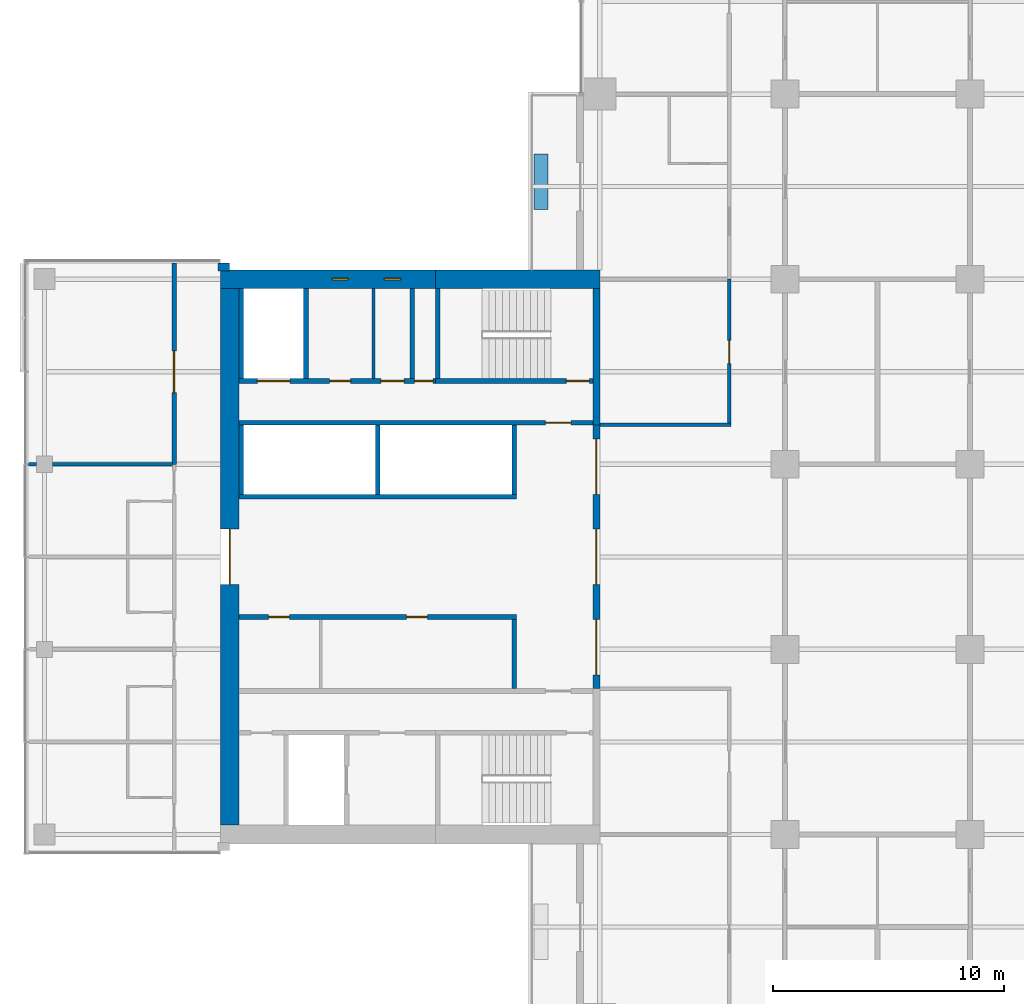
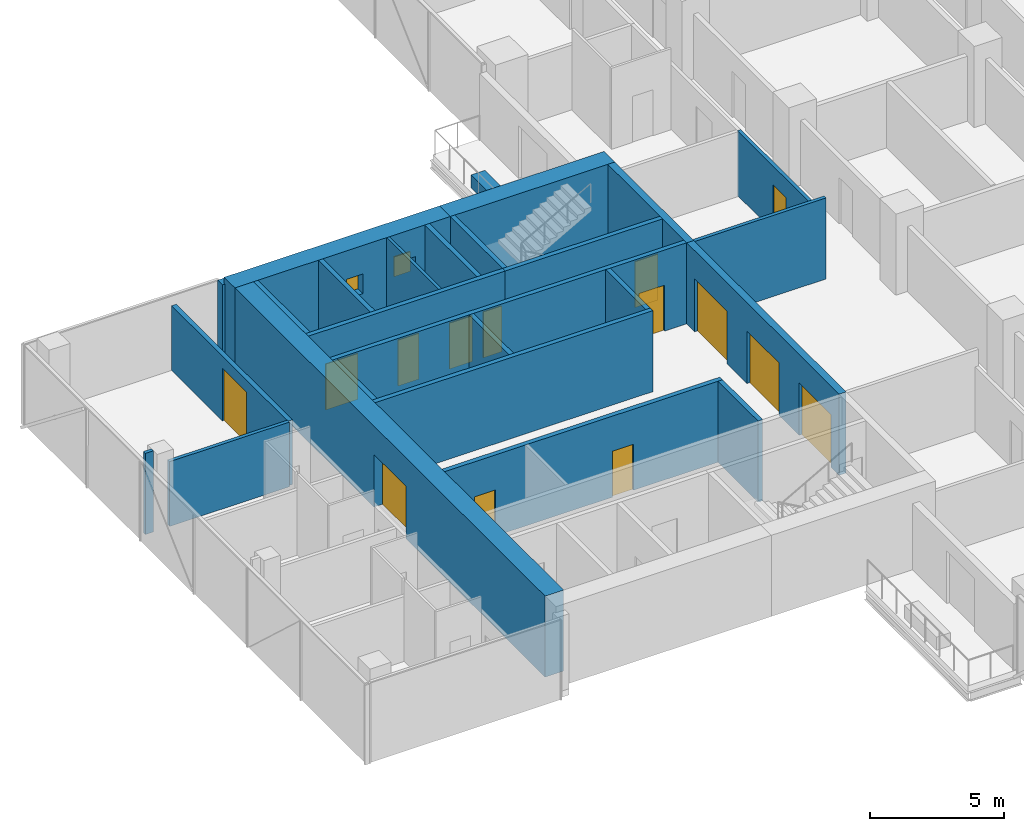
# One storey, part 18 of 27: 26 walls, 14 doors, 2 windows, 16 openings.
"""IFC4 building model written with IfcOpenShell, lengths in metres."""

from ifc_helpers import new_model, si_unit, direction, frame, frame_2d, origin, place, context, subcontext, project, spatial, rectangle, extrude, material, layer, layer_set, constituent, constituent_set, type_object, element, fill, save


model = new_model("IFC4")

# Units and contexts
model_context = context("Model", 3, precision=1e-05, world=origin(), true_north=direction((0.0, 1.0)))
body_context = subcontext(model_context, "Body", "Model", "MODEL_VIEW")
ifc_project = project(units=[si_unit("LENGTHUNIT", "METRE"), si_unit("AREAUNIT", "SQUARE_METRE"), si_unit("VOLUMEUNIT", "CUBIC_METRE"), si_unit("PLANEANGLEUNIT", "RADIAN"), si_unit("MASSUNIT", "GRAM", prefix="KILO")], contexts=[model_context])

# Site, building, storey
site_placement = place(None, origin())
site = spatial("IfcSite", under=ifc_project, at=site_placement, CompositionType="ELEMENT")
building_placement = place(site_placement, origin())
building = spatial("IfcBuilding", under=site, at=building_placement, Name="Crosswind Convention Tower", CompositionType="ELEMENT")
storey_placement = place(building_placement, frame((0.0, 0.0, 83.10009765625)))
storey = spatial("IfcBuildingStorey", under=building, at=storey_placement, Name="L15", CompositionType="ELEMENT", Elevation=83.10009765625)

# Walls
ifc_material_1 = material(Name="Concrete blockwork", Category="masonry")
ifc_layer_1 = layer(ifc_material_1, 0.199951171875)
ifc_layer_set_1 = layer_set([ifc_layer_1], Name="Blockwork partition wall 200")
wall_type_1 = type_object("IfcWallType", Name="Blockwork partition wall 200", PredefinedType="PARTITIONING", material=ifc_layer_set_1)
wall_1_placement = place(storey_placement, frame((104.89990234375, 111.60009765625, 0.0), z_axis=(0.0, 0.0, 1.0), x_axis=(0.0, -1.0, 0.0)))
element("IfcWall", 1, at=wall_1_placement, inside=storey, type_object=wall_type_1, Name="Wall MRSE W L15", PredefinedType="PARTITIONING", context=body_context, shape_type="SweptSolid", body=[
    extrude(rectangle(XDim=3.900146484375, YDim=0.199951171875, at=frame_2d((1.9501953125, 0.0))), origin(), (0.0, 0.0, 1.0), 3.699951171875),
])
ifc_material_2 = material(Name="Plasterboard partition", Category="gypsum")
ifc_layer_2 = layer(ifc_material_2, 0.14990234375)
ifc_layer_set_2 = layer_set([ifc_layer_2], Name="CORRIDOR WALL 150")
wall_type_2 = type_object("IfcWallType", Name="CORRIDOR WALL 150", PredefinedType="PARTITIONING", material=ifc_layer_set_2)
wall_2_placement = place(storey_placement, frame((113.0, 105.699951171875, 0.0), z_axis=(0.0, 0.0, 1.0), x_axis=(1.0, 0.0, 0.0)))
element("IfcWall", 2, at=wall_2_placement, inside=storey, type_object=wall_type_2, Name="Corridor Wall 39", PredefinedType="PARTITIONING", context=body_context, shape_type="SweptSolid", body=[
    extrude(rectangle(XDim=5.675048828125, YDim=0.14990234375, at=frame_2d((2.83740234375, 0.0))), origin(), (0.0, 0.0, 1.0), 3.699951171875),
])

# Wall, opening, door
wall_3_placement = place(storey_placement, frame((118.60009765625, 105.77490234375, 0.0), z_axis=(0.0, 0.0, 1.0), x_axis=(0.0, 1.0, 0.0)))
wall_3 = element("IfcWall", 3, at=wall_3_placement, inside=storey, type_object=wall_type_2, Name="Corridor Wall 75", PredefinedType="PARTITIONING", context=body_context, shape_type="SweptSolid", body=[
    extrude(rectangle(XDim=6.22509765625, YDim=0.14990234375, at=frame_2d((3.112548828125, 0.0))), origin(), (0.0, 0.0, 1.0), 2.956298828125),
])
opening_1_placement = place(wall_3_placement, frame((2.574951171875, 0.0, 0.0)))
opening_1 = element("IfcOpeningElement", 4, at=opening_1_placement, cuts=wall_3, Name="Opening 15.003", PredefinedType="OPENING", context=body_context, shape_type="SweptSolid", body=[
    extrude(rectangle(XDim=1.0, YDim=2.10009765625, at=frame_2d((0.5, 1.050048828125))), frame((0.0, 0.0849609375, 0.0), z_axis=(0.0, -1.0, 0.0), x_axis=(1.0, 0.0, 0.0)), (0.0, 0.0, 1.0), 0.169921875),
])
ifc_material_3 = material(Name="Timber fire door", Category="wood")
door_type_1 = type_object("IfcDoorType", Name="SERVICE ROOM DOOR 1000X2100", OperationType="NOTDEFINED", PredefinedType="DOOR", material=ifc_material_3)
door_1_placement = place(opening_1_placement, origin())
door_1 = element("IfcDoor", 5, at=door_1_placement, inside=storey, type_object=door_type_1, Name="Door 15.003", ObjectType="D3", OperationType="SINGLE_SWING_RIGHT", OverallHeight=2.10009765625, OverallWidth=1.0, PredefinedType="DOOR", context=body_context, shape_type="SweptSolid", body=[
    extrude(rectangle(XDim=1.0, YDim=2.10009765625, at=frame_2d((0.5, 1.050048828125))), frame((0.0, 0.02490234375, 0.0), z_axis=(0.0, -1.0, 0.0), x_axis=(1.0, 0.0, 0.0)), (0.0, 0.0, 1.0), 0.050048828125),
])
fill(opening_1, door_1)

ifc_material_4 = material(Name="Concrete C60/75", Category="concrete")
ifc_layer_3 = layer(ifc_material_4, 0.800048828125)
ifc_layer_set_3 = layer_set([ifc_layer_3], Name="Concrete C60/75")
wall_type_3 = type_object("IfcWallType", Name="Concrete core wall 800", PredefinedType="SHEAR", material=ifc_layer_set_3)
wall_4_placement = place(storey_placement, frame((97.0, 111.60009765625, 0.0), z_axis=(0.0, 0.0, 1.0), x_axis=(0.0, -1.0, 0.0)))
wall_4 = element("IfcWall", 6, at=wall_4_placement, inside=storey, type_object=wall_type_3, Name="Wall O W L15", PredefinedType="SHEAR", context=body_context, shape_type="SweptSolid", body=[
    extrude(rectangle(XDim=23.2001953125, YDim=0.800048828125, at=frame_2d((11.60009765625, 0.0))), origin(), (0.0, 0.0, 1.0), 3.699951171875),
])
opening_2_placement = place(wall_4_placement, frame((10.39990234375, 0.0, 0.0)))
opening_2 = element("IfcOpeningElement", 7, at=opening_2_placement, cuts=wall_4, Name="Opening D100", PredefinedType="OPENING", context=body_context, shape_type="SweptSolid", body=[
    extrude(rectangle(XDim=2.39990234375, YDim=2.39990234375, at=frame_2d((1.199951171875, 1.199951171875))), frame((0.0, 0.409912109375, 0.0), z_axis=(0.0, -1.0, 0.0), x_axis=(1.0, 0.0, 0.0)), (0.0, 0.0, 1.0), 0.820068359375),
])
ifc_material_5 = material(Name="Steel fire door with glazed vision panels", Category="steel")
door_type_2 = type_object("IfcDoorType", Name="Fire-rated double door 2400x2400", OperationType="DOUBLE_DOOR_SINGLE_SWING", PredefinedType="DOOR", material=ifc_material_5)
door_2_placement = place(opening_2_placement, origin())
door_2 = element("IfcDoor", 8, at=door_2_placement, inside=storey, type_object=door_type_2, Name="Lobby outer door L15", ObjectType="D100", OperationType="DOUBLE_DOOR_SINGLE_SWING", OverallHeight=2.39990234375, OverallWidth=2.39990234375, PredefinedType="DOOR", context=body_context, shape_type="SweptSolid", body=[
    extrude(rectangle(XDim=2.39990234375, YDim=2.39990234375, at=frame_2d((1.199951171875, 1.199951171875))), frame((0.0, 0.02490234375, 0.0), z_axis=(0.0, -1.0, 0.0), x_axis=(1.0, 0.0, 0.0)), (0.0, 0.0, 1.0), 0.050048828125),
])
fill(opening_2, door_2)

# Wall, openings, doors
ifc_material_6 = material(Name="Concrete C50/60", Category="concrete")
ifc_layer_4 = layer(ifc_material_6, 0.300048828125)
ifc_layer_set_4 = layer_set([ifc_layer_4], Name="Concrete C50/60")
wall_type_4 = type_object("IfcWallType", Name="Concrete inner core wall 300", PredefinedType="SHEAR", material=ifc_layer_set_4)
wall_5_placement = place(storey_placement, frame((112.85009765625, 105.699951171875, 0.0), z_axis=(0.0, 0.0, 1.0), x_axis=(0.0, -1.0, 0.0)))
wall_5 = element("IfcWall", 9, at=wall_5_placement, inside=storey, type_object=wall_type_4, Name="Wall SCR W L15", PredefinedType="SHEAR", context=body_context, shape_type="SweptSolid", body=[
    extrude(rectangle(XDim=11.39990234375, YDim=0.300048828125, at=frame_2d((5.699951171875, 0.0))), origin(), (0.0, 0.0, 1.0), 3.699951171875),
])
opening_3_placement = place(wall_5_placement, frame((0.60009765625, 0.0, 0.0)))
opening_3 = element("IfcOpeningElement", 10, at=opening_3_placement, cuts=wall_5, Name="Opening D100", PredefinedType="OPENING", context=body_context, shape_type="SweptSolid", body=[
    extrude(rectangle(XDim=2.39990234375, YDim=2.39990234375, at=frame_2d((1.199951171875, 1.199951171875))), frame((0.0, 0.159912109375, 0.0), z_axis=(0.0, -1.0, 0.0), x_axis=(1.0, 0.0, 0.0)), (0.0, 0.0, 1.0), 0.320068359375),
])
opening_4_placement = place(wall_5_placement, frame((4.5, 0.0, 0.0)))
opening_4 = element("IfcOpeningElement", 11, at=opening_4_placement, cuts=wall_5, Name="Opening D100", PredefinedType="OPENING", context=body_context, shape_type="SweptSolid", body=[
    extrude(rectangle(XDim=2.39990234375, YDim=2.39990234375, at=frame_2d((1.199951171875, 1.199951171875))), frame((0.0, 0.159912109375, 0.0), z_axis=(0.0, -1.0, 0.0), x_axis=(1.0, 0.0, 0.0)), (0.0, 0.0, 1.0), 0.320068359375),
])
opening_5_placement = place(wall_5_placement, frame((8.39990234375, 0.0, 0.0)))
opening_5 = element("IfcOpeningElement", 12, at=opening_5_placement, cuts=wall_5, Name="Opening D100", PredefinedType="OPENING", context=body_context, shape_type="SweptSolid", body=[
    extrude(rectangle(XDim=2.39990234375, YDim=2.39990234375, at=frame_2d((1.199951171875, 1.199951171875))), frame((0.0, 0.159912109375, 0.0), z_axis=(0.0, -1.0, 0.0), x_axis=(1.0, 0.0, 0.0)), (0.0, 0.0, 1.0), 0.320068359375),
])
door_3_placement = place(opening_3_placement, origin())
door_3 = element("IfcDoor", 13, at=door_3_placement, inside=storey, type_object=door_type_2, Name="Lobby door 1 L15", ObjectType="D100", OperationType="DOUBLE_DOOR_SINGLE_SWING", OverallHeight=2.39990234375, OverallWidth=2.39990234375, PredefinedType="DOOR", context=body_context, shape_type="SweptSolid", body=[
    extrude(rectangle(XDim=2.39990234375, YDim=2.39990234375, at=frame_2d((1.199951171875, 1.199951171875))), frame((0.0, 0.02490234375, 0.0), z_axis=(0.0, -1.0, 0.0), x_axis=(1.0, 0.0, 0.0)), (0.0, 0.0, 1.0), 0.050048828125),
])
fill(opening_3, door_3)
door_4_placement = place(opening_4_placement, origin())
door_4 = element("IfcDoor", 14, at=door_4_placement, inside=storey, type_object=door_type_2, Name="Lobby door 2 L15", ObjectType="D100", OperationType="DOUBLE_DOOR_SINGLE_SWING", OverallHeight=2.39990234375, OverallWidth=2.39990234375, PredefinedType="DOOR", context=body_context, shape_type="SweptSolid", body=[
    extrude(rectangle(XDim=2.39990234375, YDim=2.39990234375, at=frame_2d((1.199951171875, 1.199951171875))), frame((0.0, 0.02490234375, 0.0), z_axis=(0.0, -1.0, 0.0), x_axis=(1.0, 0.0, 0.0)), (0.0, 0.0, 1.0), 0.050048828125),
])
fill(opening_4, door_4)
door_5_placement = place(opening_5_placement, origin())
door_5 = element("IfcDoor", 15, at=door_5_placement, inside=storey, type_object=door_type_2, Name="Lobby door 3 L15", ObjectType="D100", OperationType="DOUBLE_DOOR_SINGLE_SWING", OverallHeight=2.39990234375, OverallWidth=2.39990234375, PredefinedType="DOOR", context=body_context, shape_type="SweptSolid", body=[
    extrude(rectangle(XDim=2.39990234375, YDim=2.39990234375, at=frame_2d((1.199951171875, 1.199951171875))), frame((0.0, 0.02490234375, 0.0), z_axis=(0.0, -1.0, 0.0), x_axis=(1.0, 0.0, 0.0)), (0.0, 0.0, 1.0), 0.050048828125),
])
fill(opening_5, door_5)

# Walls
wall_6_placement = place(storey_placement, frame((112.85009765625, 111.60009765625, 0.0), z_axis=(0.0, 0.0, 1.0), x_axis=(0.0, -1.0, 0.0)))
element("IfcWall", 16, at=wall_6_placement, inside=storey, type_object=wall_type_4, Name="Wall EM W L15", PredefinedType="SHEAR", context=body_context, shape_type="SweptSolid", body=[
    extrude(rectangle(XDim=5.900146484375, YDim=0.300048828125, at=frame_2d((2.9501953125, 0.0))), origin(), (0.0, 0.0, 1.0), 3.699951171875),
])
ifc_layer_5 = layer(ifc_material_6, 0.199951171875)
ifc_layer_set_5 = layer_set([ifc_layer_5], Name="Concrete C50/60")
wall_type_5 = type_object("IfcWallType", Name="Concrete shaft and stair wall 200", PredefinedType="SHEAR", material=ifc_layer_set_5)
wall_7_placement = place(storey_placement, frame((109.300048828125, 97.300048828125, 0.0), z_axis=(0.0, 0.0, 1.0), x_axis=(0.0, -1.0, 0.0)))
element("IfcWall", 17, at=wall_7_placement, inside=storey, type_object=wall_type_5, Name="Wall RPEND W L15", PredefinedType="SHEAR", context=body_context, shape_type="SweptSolid", body=[
    extrude(rectangle(XDim=3.0, YDim=0.199951171875, at=frame_2d((1.5, 0.0))), origin(), (0.0, 0.0, 1.0), 3.699951171875),
])

# Wall, openings, doors
wall_8_placement = place(storey_placement, frame((109.39990234375, 97.39990234375, 0.0), z_axis=(0.0, 0.0, 1.0), x_axis=(-1.0, 0.0, 0.0)))
wall_8 = element("IfcWall", 18, at=wall_8_placement, inside=storey, type_object=wall_type_5, Name="Wall RPFRONT W L15", PredefinedType="SHEAR", context=body_context, shape_type="SweptSolid", body=[
    extrude(rectangle(XDim=12.0, YDim=0.199951171875, at=frame_2d((6.0, 0.0))), origin(), (0.0, 0.0, 1.0), 3.699951171875),
])
opening_6_placement = place(wall_8_placement, frame((3.8486328125, 0.0, 0.0)))
opening_6 = element("IfcOpeningElement", 19, at=opening_6_placement, cuts=wall_8, Name="Opening D106", PredefinedType="OPENING", context=body_context, shape_type="SweptSolid", body=[
    extrude(rectangle(XDim=0.89990234375, YDim=2.10009765625, at=frame_2d((0.449951171875, 1.050048828125))), frame((0.0, 0.10986328125, 0.0), z_axis=(0.0, -1.0, 0.0), x_axis=(1.0, 0.0, 0.0)), (0.0, 0.0, 1.0), 0.219970703125),
])
opening_7_placement = place(wall_8_placement, frame((9.811279296875, 0.0, 0.0)))
opening_7 = element("IfcOpeningElement", 20, at=opening_7_placement, cuts=wall_8, Name="Opening D106", PredefinedType="OPENING", context=body_context, shape_type="SweptSolid", body=[
    extrude(rectangle(XDim=0.89990234375, YDim=2.10009765625, at=frame_2d((0.449951171875, 1.050048828125))), frame((0.0, 0.10986328125, 0.0), z_axis=(0.0, -1.0, 0.0), x_axis=(1.0, 0.0, 0.0)), (0.0, 0.0, 1.0), 0.219970703125),
])
ifc_material_7 = material(Name="Timber door", Category="wood")
door_type_3 = type_object("IfcDoorType", Name="Single leaf door 900x2100", OperationType="NOTDEFINED", PredefinedType="DOOR", material=ifc_material_7)
door_6_placement = place(opening_6_placement, origin())
door_6 = element("IfcDoor", 21, at=door_6_placement, inside=storey, type_object=door_type_3, Name="Door to meeting room L15", ObjectType="D106", OperationType="SINGLE_SWING_RIGHT", OverallHeight=2.10009765625, OverallWidth=0.89990234375, PredefinedType="DOOR", context=body_context, shape_type="SweptSolid", body=[
    extrude(rectangle(XDim=0.89990234375, YDim=2.10009765625, at=frame_2d((0.449951171875, 1.050048828125))), frame((0.0, 0.02490234375, 0.0), z_axis=(0.0, -1.0, 0.0), x_axis=(1.0, 0.0, 0.0)), (0.0, 0.0, 1.0), 0.050048828125),
])
fill(opening_6, door_6)
door_7_placement = place(opening_7_placement, origin())
door_7 = element("IfcDoor", 22, at=door_7_placement, inside=storey, type_object=door_type_3, Name="Door to business centre L15", ObjectType="D106", OperationType="SINGLE_SWING_RIGHT", OverallHeight=2.10009765625, OverallWidth=0.89990234375, PredefinedType="DOOR", context=body_context, shape_type="SweptSolid", body=[
    extrude(rectangle(XDim=0.89990234375, YDim=2.10009765625, at=frame_2d((0.449951171875, 1.050048828125))), frame((0.0, 0.02490234375, 0.0), z_axis=(0.0, -1.0, 0.0), x_axis=(1.0, 0.0, 0.0)), (0.0, 0.0, 1.0), 0.050048828125),
])
fill(opening_7, door_7)

# Walls
for number, where, z_axis, x_axis, name in (
    (23, (109.300048828125, 105.699951171875, 0.0), (0.0, 0.0, 1.0), (0.0, -1.0, 0.0), "Wall RMEND W L15"),
    (24, (103.39990234375, 105.699951171875, 0.0), (0.0, 0.0, 1.0), (0.0, -1.0, 0.0), "Wall RMSEP W L15"),
    (25, (97.5, 105.699951171875, 0.0), (0.0, 0.0, 1.0), (0.0, -1.0, 0.0), "Wall RMEAST W L15"),
):
    element("IfcWall", number, at=place(storey_placement, frame(where, z_axis=z_axis, x_axis=x_axis)), inside=storey, type_object=wall_type_5, Name=name, PredefinedType="SHEAR", context=body_context, shape_type="SweptSolid", body=[
        extrude(rectangle(XDim=3.0, YDim=0.199951171875, at=frame_2d((1.5, 0.0))), origin(), (0.0, 0.0, 1.0), 3.699951171875),
    ])
wall_9_placement = place(storey_placement, frame((109.39990234375, 102.60009765625, 0.0), z_axis=(0.0, 0.0, 1.0), x_axis=(-1.0, 0.0, 0.0)))
element("IfcWall", 26, at=wall_9_placement, inside=storey, type_object=wall_type_5, Name="Wall RMFRONT W L15", PredefinedType="SHEAR", context=body_context, shape_type="SweptSolid", body=[
    extrude(rectangle(XDim=12.0, YDim=0.199951171875, at=frame_2d((6.0, 0.0))), origin(), (0.0, 0.0, 1.0), 3.699951171875),
])

# Wall, opening, door
wall_10_placement = place(storey_placement, frame((112.699951171875, 105.800048828125, 0.0), z_axis=(0.0, 0.0, 1.0), x_axis=(-1.0, 0.0, 0.0)))
wall_10 = element("IfcWall", 27, at=wall_10_placement, inside=storey, type_object=wall_type_5, Name="Wall HM W L15", PredefinedType="SHEAR", context=body_context, shape_type="SweptSolid", body=[
    extrude(rectangle(XDim=15.300048828125, YDim=0.199951171875, at=frame_2d((7.64990234375, 0.0))), origin(), (0.0, 0.0, 1.0), 3.699951171875),
])
opening_8_placement = place(wall_10_placement, frame((0.949951171875, 0.0, 0.0)))
opening_8 = element("IfcOpeningElement", 28, at=opening_8_placement, cuts=wall_10, Name="Opening D104", PredefinedType="OPENING", context=body_context, shape_type="SweptSolid", body=[
    extrude(rectangle(XDim=1.10009765625, YDim=2.10009765625, at=frame_2d((0.550048828125, 1.050048828125))), frame((0.0, 0.10986328125, 0.0), z_axis=(0.0, -1.0, 0.0), x_axis=(1.0, 0.0, 0.0)), (0.0, 0.0, 1.0), 0.219970703125),
])
ifc_material_8 = material(Name="Steel fire door", Category="steel")
door_type_4 = type_object("IfcDoorType", Name="Fire-rated single door 1100x2100", OperationType="NOTDEFINED", PredefinedType="DOOR", material=ifc_material_8)
door_8_placement = place(opening_8_placement, origin())
door_8 = element("IfcDoor", 29, at=door_8_placement, inside=storey, type_object=door_type_4, Name="Corridor door L15", ObjectType="D104", OperationType="SINGLE_SWING_LEFT", OverallHeight=2.10009765625, OverallWidth=1.10009765625, PredefinedType="DOOR", context=body_context, shape_type="SweptSolid", body=[
    extrude(rectangle(XDim=1.10009765625, YDim=2.10009765625, at=frame_2d((0.550048828125, 1.050048828125))), frame((0.0, 0.02490234375, 0.0), z_axis=(0.0, -1.0, 0.0), x_axis=(1.0, 0.0, 0.0)), (0.0, 0.0, 1.0), 0.050048828125),
])
fill(opening_8, door_8)

# Walls
for number, where, z_axis, x_axis, name in (
    (30, (106.0, 111.60009765625, 0.0), (0.0, 0.0, 1.0), (0.0, -1.0, 0.0), "Wall MSE W L15"),
    (31, (100.300048828125, 111.60009765625, 0.0), (0.0, 0.0, 1.0), (0.0, -1.0, 0.0), "Wall MFSW W L15"),
    (32, (97.5, 111.60009765625, 0.0), (0.0, 0.0, 1.0), (0.0, -1.0, 0.0), "Wall MFSE W L15"),
):
    element("IfcWall", number, at=place(storey_placement, frame(where, z_axis=z_axis, x_axis=x_axis)), inside=storey, type_object=wall_type_5, Name=name, PredefinedType="SHEAR", context=body_context, shape_type="SweptSolid", body=[
        extrude(rectangle(XDim=3.900146484375, YDim=0.199951171875, at=frame_2d((1.9501953125, 0.0))), origin(), (0.0, 0.0, 1.0), 3.699951171875),
    ])

# Wall, opening, door
wall_11_placement = place(storey_placement, frame((112.699951171875, 107.60009765625, 0.0), z_axis=(0.0, 0.0, 1.0), x_axis=(-1.0, 0.0, 0.0)))
wall_11 = element("IfcWall", 33, at=wall_11_placement, inside=storey, type_object=wall_type_5, Name="Wall MCW W L15", PredefinedType="SHEAR", context=body_context, shape_type="SweptSolid", body=[
    extrude(rectangle(XDim=6.800048828125, YDim=0.199951171875, at=frame_2d((3.39990234375, 0.0))), origin(), (0.0, 0.0, 1.0), 3.699951171875),
])
opening_9_placement = place(wall_11_placement, frame((0.14990234375, 0.0, 0.0)))
opening_9 = element("IfcOpeningElement", 34, at=opening_9_placement, cuts=wall_11, Name="Opening D103", PredefinedType="OPENING", context=body_context, shape_type="SweptSolid", body=[
    extrude(rectangle(XDim=1.0, YDim=2.10009765625, at=frame_2d((0.5, 1.050048828125))), frame((0.0, 0.10986328125, 0.0), z_axis=(0.0, -1.0, 0.0), x_axis=(1.0, 0.0, 0.0)), (0.0, 0.0, 1.0), 0.219970703125),
])
door_type_5 = type_object("IfcDoorType", Name="Fire-rated single door 1000x2100", OperationType="NOTDEFINED", PredefinedType="DOOR", material=ifc_material_8)
door_9_placement = place(opening_9_placement, frame((1.0, 0.0, 0.0), z_axis=(0.0, 0.0, 1.0), x_axis=(-1.0, 0.0, 0.0)))
door_9 = element("IfcDoor", 35, at=door_9_placement, inside=storey, type_object=door_type_5, Name="Stair ST4 door L15", ObjectType="D103", OperationType="SINGLE_SWING_RIGHT", OverallHeight=2.10009765625, OverallWidth=1.0, PredefinedType="DOOR", context=body_context, shape_type="SweptSolid", body=[
    extrude(rectangle(XDim=1.0, YDim=2.10009765625, at=frame_2d((0.5, 1.050048828125))), frame((0.0, 0.02490234375, 0.0), z_axis=(0.0, -1.0, 0.0), x_axis=(1.0, 0.0, 0.0)), (0.0, 0.0, 1.0), 0.050048828125),
])
fill(opening_9, door_9)

# Wall, openings, doors
wall_12_placement = place(storey_placement, frame((105.89990234375, 107.60009765625, 0.0), z_axis=(0.0, 0.0, 1.0), x_axis=(-1.0, 0.0, 0.0)))
wall_12 = element("IfcWall", 36, at=wall_12_placement, inside=storey, type_object=wall_type_5, Name="Wall MCX W L15", PredefinedType="SHEAR", context=body_context, shape_type="SweptSolid", body=[
    extrude(rectangle(XDim=8.5, YDim=0.199951171875, at=frame_2d((4.25, 0.0))), origin(), (0.0, 0.0, 1.0), 3.699951171875),
])
opening_10_placement = place(wall_12_placement, frame((0.10009765625, 0.0, 0.0)))
opening_10 = element("IfcOpeningElement", 37, at=opening_10_placement, cuts=wall_12, Name="Opening D105", PredefinedType="OPENING", context=body_context, shape_type="SweptSolid", body=[
    extrude(rectangle(XDim=0.800048828125, YDim=2.10009765625, at=frame_2d((0.39990234375, 1.050048828125))), frame((0.0, 0.10986328125, 0.0), z_axis=(0.0, -1.0, 0.0), x_axis=(1.0, 0.0, 0.0)), (0.0, 0.0, 1.0), 0.219970703125),
])
opening_11_placement = place(wall_12_placement, frame((1.36083984375, 0.0, 0.0)))
opening_11 = element("IfcOpeningElement", 38, at=opening_11_placement, cuts=wall_12, Name="Opening D103", PredefinedType="OPENING", context=body_context, shape_type="SweptSolid", body=[
    extrude(rectangle(XDim=1.0, YDim=2.10009765625, at=frame_2d((0.5, 1.050048828125))), frame((0.0, 0.10986328125, 0.0), z_axis=(0.0, -1.0, 0.0), x_axis=(1.0, 0.0, 0.0)), (0.0, 0.0, 1.0), 0.219970703125),
])
opening_12_placement = place(wall_12_placement, frame((3.67333984375, 0.0, 0.0)))
opening_12 = element("IfcOpeningElement", 39, at=opening_12_placement, cuts=wall_12, Name="Opening D106", PredefinedType="OPENING", context=body_context, shape_type="SweptSolid", body=[
    extrude(rectangle(XDim=0.89990234375, YDim=2.10009765625, at=frame_2d((0.449951171875, 1.050048828125))), frame((0.0, 0.10986328125, 0.0), z_axis=(0.0, -1.0, 0.0), x_axis=(1.0, 0.0, 0.0)), (0.0, 0.0, 1.0), 0.219970703125),
])
opening_13_placement = place(wall_12_placement, frame((6.300048828125, 0.0, 0.0)))
opening_13 = element("IfcOpeningElement", 40, at=opening_13_placement, cuts=wall_12, Name="Opening LD2", PredefinedType="OPENING", context=body_context, shape_type="SweptSolid", body=[
    extrude(rectangle(XDim=1.39990234375, YDim=2.10009765625, at=frame_2d((0.699951171875, 1.050048828125))), frame((0.0, 0.10986328125, 0.0), z_axis=(0.0, -1.0, 0.0), x_axis=(1.0, 0.0, 0.0)), (0.0, 0.0, 1.0), 0.219970703125),
])
door_10_placement = place(opening_11_placement, frame((1.0, 0.0, 0.0), z_axis=(0.0, 0.0, 1.0), x_axis=(-1.0, 0.0, 0.0)))
door_10 = element("IfcDoor", 41, at=door_10_placement, inside=storey, type_object=door_type_5, Name="Door to accessible wc L15", ObjectType="D103", OperationType="SINGLE_SWING_LEFT", OverallHeight=2.10009765625, OverallWidth=1.0, PredefinedType="DOOR", context=body_context, shape_type="SweptSolid", body=[
    extrude(rectangle(XDim=1.0, YDim=2.10009765625, at=frame_2d((0.5, 1.050048828125))), frame((0.0, 0.02490234375, 0.0), z_axis=(0.0, -1.0, 0.0), x_axis=(1.0, 0.0, 0.0)), (0.0, 0.0, 1.0), 0.050048828125),
])
fill(opening_11, door_10)
ifc_material_9 = material(Name="Stainless steel", Category="steel")
door_type_6 = type_object("IfcDoorType", Name="Lift landing door 1400x2100", OperationType="DOUBLE_DOOR_SLIDING", PredefinedType="DOOR", material=ifc_material_9)
door_11_placement = place(opening_13_placement, origin())
door_11 = element("IfcDoor", 42, at=door_11_placement, inside=storey, type_object=door_type_6, Name="Landing door SV2 L15", ObjectType="LD2", OperationType="DOUBLE_DOOR_SLIDING", OverallHeight=2.10009765625, OverallWidth=1.39990234375, PredefinedType="DOOR", context=body_context, shape_type="SweptSolid", body=[
    extrude(rectangle(XDim=1.39990234375, YDim=2.10009765625, at=frame_2d((0.699951171875, 1.050048828125))), frame((0.0, 0.02490234375, 0.0), z_axis=(0.0, -1.0, 0.0), x_axis=(1.0, 0.0, 0.0)), (0.0, 0.0, 1.0), 0.050048828125),
])
fill(opening_13, door_11)
door_type_7 = type_object("IfcDoorType", Name="Riser access door 800x2100", OperationType="NOTDEFINED", PredefinedType="DOOR", material=ifc_material_8)
door_12_placement = place(opening_10_placement, frame((0.800048828125, 0.0, 0.0), z_axis=(0.0, 0.0, 1.0), x_axis=(-1.0, 0.0, 0.0)))
door_12 = element("IfcDoor", 43, at=door_12_placement, inside=storey, type_object=door_type_7, Name="Riser door L15", ObjectType="D105", OperationType="SINGLE_SWING_LEFT", OverallHeight=2.10009765625, OverallWidth=0.800048828125, PredefinedType="DOOR", context=body_context, shape_type="SweptSolid", body=[
    extrude(rectangle(XDim=0.800048828125, YDim=2.10009765625, at=frame_2d((0.39990234375, 1.050048828125))), frame((0.0, 0.02490234375, 0.0), z_axis=(0.0, -1.0, 0.0), x_axis=(1.0, 0.0, 0.0)), (0.0, 0.0, 1.0), 0.050048828125),
])
fill(opening_10, door_12)
door_13_placement = place(opening_12_placement, frame((0.89990234375, 0.0, 0.0), z_axis=(0.0, 0.0, 1.0), x_axis=(-1.0, 0.0, 0.0)))
door_13 = element("IfcDoor", 44, at=door_13_placement, inside=storey, type_object=door_type_3, Name="Door to wc L15", ObjectType="D106", OperationType="SINGLE_SWING_LEFT", OverallHeight=2.10009765625, OverallWidth=0.89990234375, PredefinedType="DOOR", context=body_context, shape_type="SweptSolid", body=[
    extrude(rectangle(XDim=0.89990234375, YDim=2.10009765625, at=frame_2d((0.449951171875, 1.050048828125))), frame((0.0, 0.02490234375, 0.0), z_axis=(0.0, -1.0, 0.0), x_axis=(1.0, 0.0, 0.0)), (0.0, 0.0, 1.0), 0.050048828125),
])
fill(opening_12, door_13)

# Walls
ifc_material_10 = material(Name="Gypsum plasterboard partition", Category="gypsum")
ifc_layer_6 = layer(ifc_material_10, 0.125)
ifc_layer_set_6 = layer_set([ifc_layer_6], Name="Drywall partition wall 125")
wall_type_6 = type_object("IfcWallType", Name="Drywall partition wall 125", PredefinedType="PARTITIONING", material=ifc_layer_set_6)
wall_13_placement = place(storey_placement, frame((103.216064453125, 111.60009765625, 0.0), z_axis=(0.0, 0.0, 1.0), x_axis=(0.0, -1.0, 0.0)))
element("IfcWall", 45, at=wall_13_placement, inside=storey, type_object=wall_type_6, Name="Wall MWP1 W L15", PredefinedType="PARTITIONING", context=body_context, shape_type="SweptSolid", body=[
    extrude(rectangle(XDim=3.900146484375, YDim=0.125, at=frame_2d((1.9501953125, 0.0))), origin(), (0.0, 0.0, 1.0), 3.699951171875),
])
ifc_material_11 = material(Name="Acoustic plasterboard partition", Category="gypsum")
ifc_layer_7 = layer(ifc_material_11, 0.14990234375)
ifc_layer_set_7 = layer_set([ifc_layer_7], Name="GUEST ROOM WALL 150")
wall_type_7 = type_object("IfcWallType", Name="GUEST ROOM WALL 150", PredefinedType="PARTITIONING", material=ifc_layer_set_7)
wall_14_placement = place(storey_placement, frame((88.300048828125, 104.0, 0.0), z_axis=(0.0, 0.0, 1.0), x_axis=(1.0, 0.0, 0.0)))
element("IfcWall", 46, at=wall_14_placement, inside=storey, type_object=wall_type_7, Name="Guest Room Wall 34", PredefinedType="PARTITIONING", context=body_context, shape_type="SweptSolid", body=[
    extrude(rectangle(XDim=0.349853515625, YDim=0.14990234375, at=frame_2d((0.1748046875, 0.0))), origin(), (0.0, 0.0, 1.0), 3.699951171875),
])
wall_15_placement = place(storey_placement, frame((89.35009765625, 104.0, 0.0), z_axis=(0.0, 0.0, 1.0), x_axis=(1.0, 0.0, 0.0)))
element("IfcWall", 47, at=wall_15_placement, inside=storey, type_object=wall_type_7, Name="Guest Room Wall 35", PredefinedType="PARTITIONING", context=body_context, shape_type="SweptSolid", body=[
    extrude(rectangle(XDim=5.1748046875, YDim=0.14990234375, at=frame_2d((2.58740234375, 0.0))), origin(), (0.0, 0.0, 1.0), 2.956298828125),
])

# Wall, opening, door
ifc_material_12 = material(Name="Double plasterboard partition", Category="gypsum")
ifc_layer_8 = layer(ifc_material_12, 0.199951171875)
ifc_layer_set_8 = layer_set([ifc_layer_8], Name="HALL WALL 200")
wall_type_8 = type_object("IfcWallType", Name="HALL WALL 200", PredefinedType="PARTITIONING", material=ifc_layer_set_8)
wall_16_placement = place(storey_placement, frame((94.60009765625, 104.0, 0.0), z_axis=(0.0, 0.0, 1.0), x_axis=(0.0, 1.0, 0.0)))
wall_16 = element("IfcWall", 48, at=wall_16_placement, inside=storey, type_object=wall_type_8, Name="Hall Wall 66", PredefinedType="PARTITIONING", context=body_context, shape_type="SweptSolid", body=[
    extrude(rectangle(XDim=8.699951171875, YDim=0.199951171875, at=frame_2d((4.35009765625, 0.0))), origin(), (0.0, 0.0, 1.0), 2.956298828125),
])
opening_14_placement = place(wall_16_placement, frame((3.10009765625, 0.0, 0.0)))
opening_14 = element("IfcOpeningElement", 49, at=opening_14_placement, cuts=wall_16, Name="Opening 15.047", PredefinedType="OPENING", context=body_context, shape_type="SweptSolid", body=[
    extrude(rectangle(XDim=1.800048828125, YDim=2.39990234375, at=frame_2d((0.89990234375, 1.199951171875))), frame((0.0, 0.10986328125, 0.0), z_axis=(0.0, -1.0, 0.0), x_axis=(1.0, 0.0, 0.0)), (0.0, 0.0, 1.0), 0.219970703125),
])
door_type_8 = type_object("IfcDoorType", Name="HALL DOUBLE DOOR 1800X2400", OperationType="DOUBLE_DOOR_SINGLE_SWING", PredefinedType="DOOR", material=ifc_material_3)
door_14_placement = place(opening_14_placement, frame((1.800048828125, 0.0, 0.0), z_axis=(0.0, 0.0, 1.0), x_axis=(-1.0, 0.0, 0.0)))
door_14 = element("IfcDoor", 50, at=door_14_placement, inside=storey, type_object=door_type_8, Name="Door 15.047", ObjectType="D5", OperationType="DOUBLE_DOOR_SINGLE_SWING", OverallHeight=2.39990234375, OverallWidth=1.800048828125, PredefinedType="DOOR", context=body_context, shape_type="SweptSolid", body=[
    extrude(rectangle(XDim=1.800048828125, YDim=2.39990234375, at=frame_2d((0.89990234375, 1.199951171875))), frame((0.0, 0.02490234375, 0.0), z_axis=(0.0, -1.0, 0.0), x_axis=(1.0, 0.0, 0.0)), (0.0, 0.0, 1.0), 0.050048828125),
])
fill(opening_14, door_14)

# Walls
ifc_material_13 = material(Name="Concrete C30/37", Category="concrete")
ifc_layer_9 = layer(ifc_material_13, 0.60009765625)
ifc_layer_set_9 = layer_set([ifc_layer_9], Name="Concrete C30/37")
wall_type_9 = type_object("IfcWallType", Name="PLANTER BOX WALL 600", PredefinedType="SOLIDWALL", material=ifc_layer_set_9)
wall_17_placement = place(storey_placement, frame((110.449951171875, 117.39990234375, 0.0), z_axis=(0.0, 0.0, 1.0), x_axis=(0.0, -1.0, 0.0)))
element("IfcWall", 51, at=wall_17_placement, inside=storey, type_object=wall_type_9, Name="PLANTER L15 N-W.1-3", PredefinedType="SOLIDWALL", context=body_context, shape_type="SweptSolid", body=[
    extrude(rectangle(XDim=2.39990234375, YDim=0.60009765625, at=frame_2d((1.199951171875, 0.0))), origin(), (0.0, 0.0, 1.0), 0.599853515625),
])
ifc_material_14 = material(Name="Terracotta rainscreen", Category="ceramic")
ifc_layer_10 = layer(ifc_material_14, 0.02001953125)
ifc_material_15 = material(Name="Mineral wool insulation", Category="insulation")
ifc_layer_11 = layer(ifc_material_15, 0.10009765625)
ifc_layer_12 = layer(ifc_material_1, 0.236083984375)
ifc_layer_set_10 = layer_set([ifc_layer_10, ifc_layer_11, ifc_layer_12], Name="TERRACOTTA CORNER INFILL WALL 356")
wall_type_10 = type_object("IfcWallType", Name="TERRACOTTA CORNER INFILL WALL 356", PredefinedType="SOLIDWALL", material=ifc_layer_set_10)
wall_18_placement = place(storey_placement, frame((96.4951171875, 112.52197265625, 0.0), z_axis=(0.0, 0.0, 1.0), x_axis=(1.0, 0.0, 0.0)))
element("IfcWall", 52, at=wall_18_placement, inside=storey, type_object=wall_type_10, Name="Core corner infill wall L15 2", PredefinedType="SOLIDWALL", context=body_context, shape_type="SweptSolid", body=[
    extrude(rectangle(XDim=0.5048828125, YDim=0.35595703125, at=frame_2d((0.25244140625, 0.0))), origin(), (0.0, 0.0, 1.0), 3.419921875),
])
ifc_constituent_1 = constituent(ifc_material_4, Name="Structure")
ifc_constituent_2 = constituent(ifc_material_14, Name="Facing")
ifc_constituent_set = constituent_set(constituents=[ifc_constituent_1, ifc_constituent_2], Name="Concrete C60/75, Terracotta rainscreen")
wall_type_11 = type_object("IfcWallType", Name="Terracotta rainscreen on concrete core wall 800", PredefinedType="SHEAR", material=ifc_constituent_set)
wall_19_placement = place(storey_placement, frame((113.0, 112.0, 0.0), z_axis=(0.0, 0.0, 1.0), x_axis=(-1.0, 0.0, 0.0)))
element("IfcWall", 53, at=wall_19_placement, inside=storey, type_object=wall_type_11, Name="Wall S1 W L15", PredefinedType="SHEAR", context=body_context, shape_type="SweptSolid", body=[
    extrude(rectangle(XDim=7.10009765625, YDim=0.800048828125, at=frame_2d((3.550048828125, 0.0))), origin(), (0.0, 0.0, 1.0), 3.699951171875),
])

# Wall, openings, windows
wall_20_placement = place(storey_placement, frame((105.89990234375, 112.0, 0.0), z_axis=(0.0, 0.0, 1.0), x_axis=(-1.0, 0.0, 0.0)))
wall_20 = element("IfcWall", 54, at=wall_20_placement, inside=storey, type_object=wall_type_11, Name="Wall S2 W L15", PredefinedType="SHEAR", context=body_context, shape_type="SweptSolid", body=[
    extrude(rectangle(XDim=9.2998046875, YDim=0.800048828125, at=frame_2d((4.64990234375, 0.0))), origin(), (0.0, 0.0, 1.0), 3.699951171875),
])
opening_15_placement = place(wall_20_placement, frame((1.5107421875, 0.0, 1.5)))
opening_15 = element("IfcOpeningElement", 55, at=opening_15_placement, cuts=wall_20, Name="Opening W2", PredefinedType="OPENING", context=body_context, shape_type="SweptSolid", body=[
    extrude(rectangle(XDim=0.699951171875, YDim=0.89990234375, at=frame_2d((0.35009765625, 0.449951171875))), frame((0.0, 0.409912109375, 0.0), z_axis=(0.0, -1.0, 0.0), x_axis=(1.0, 0.0, 0.0)), (0.0, 0.0, 1.0), 0.820068359375),
])
opening_16_placement = place(wall_20_placement, frame((3.773193359375, 0.0, 1.5)))
opening_16 = element("IfcOpeningElement", 56, at=opening_16_placement, cuts=wall_20, Name="Opening W2", PredefinedType="OPENING", context=body_context, shape_type="SweptSolid", body=[
    extrude(rectangle(XDim=0.699951171875, YDim=0.89990234375, at=frame_2d((0.35009765625, 0.449951171875))), frame((0.0, 0.409912109375, 0.0), z_axis=(0.0, -1.0, 0.0), x_axis=(1.0, 0.0, 0.0)), (0.0, 0.0, 1.0), 0.820068359375),
])
ifc_material_16 = material(Name="Obscure glass in aluminium frame", Category="aluminium")
window_type = type_object("IfcWindowType", Name="WC window 700x900", PartitioningType="SINGLE_PANEL", PredefinedType="WINDOW", material=ifc_material_16)
window_1_placement = place(opening_15_placement, origin())
window_1 = element("IfcWindow", 57, at=window_1_placement, inside=storey, type_object=window_type, Name="WC window L15", ObjectType="W2", OverallHeight=0.89990234375, OverallWidth=0.699951171875, PartitioningType="SINGLE_PANEL", PredefinedType="WINDOW", context=body_context, shape_type="SweptSolid", body=[
    extrude(rectangle(XDim=0.699951171875, YDim=0.89990234375, at=frame_2d((0.35009765625, 0.449951171875))), frame((0.0, 0.030029296875, 0.0), z_axis=(0.0, -1.0, 0.0), x_axis=(1.0, 0.0, 0.0)), (0.0, 0.0, 1.0), 0.06005859375),
])
fill(opening_15, window_1)
window_2_placement = place(opening_16_placement, origin())
window_2 = element("IfcWindow", 58, at=window_2_placement, inside=storey, type_object=window_type, Name="WC window L15", ObjectType="W2", OverallHeight=0.89990234375, OverallWidth=0.699951171875, PartitioningType="SINGLE_PANEL", PredefinedType="WINDOW", context=body_context, shape_type="SweptSolid", body=[
    extrude(rectangle(XDim=0.699951171875, YDim=0.89990234375, at=frame_2d((0.35009765625, 0.449951171875))), frame((0.0, 0.030029296875, 0.0), z_axis=(0.0, -1.0, 0.0), x_axis=(1.0, 0.0, 0.0)), (0.0, 0.0, 1.0), 0.06005859375),
])
fill(opening_16, window_2)

save(model, "model.ifc")
